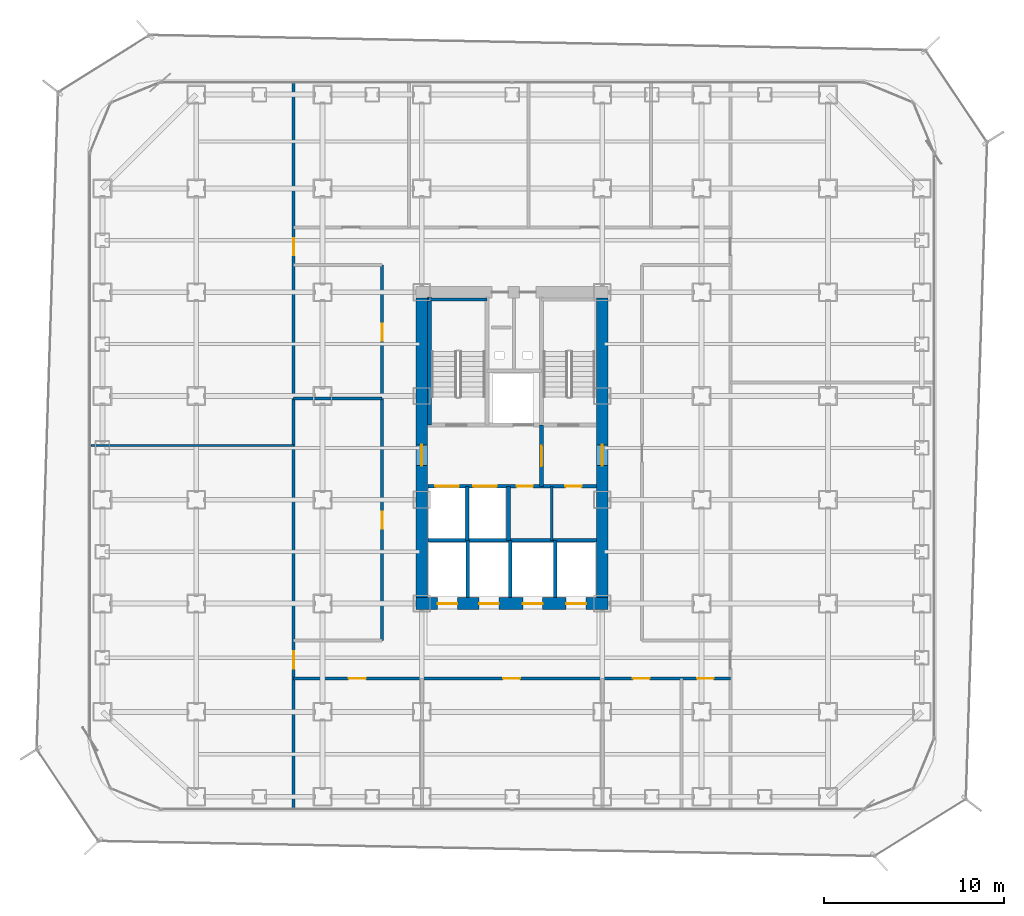
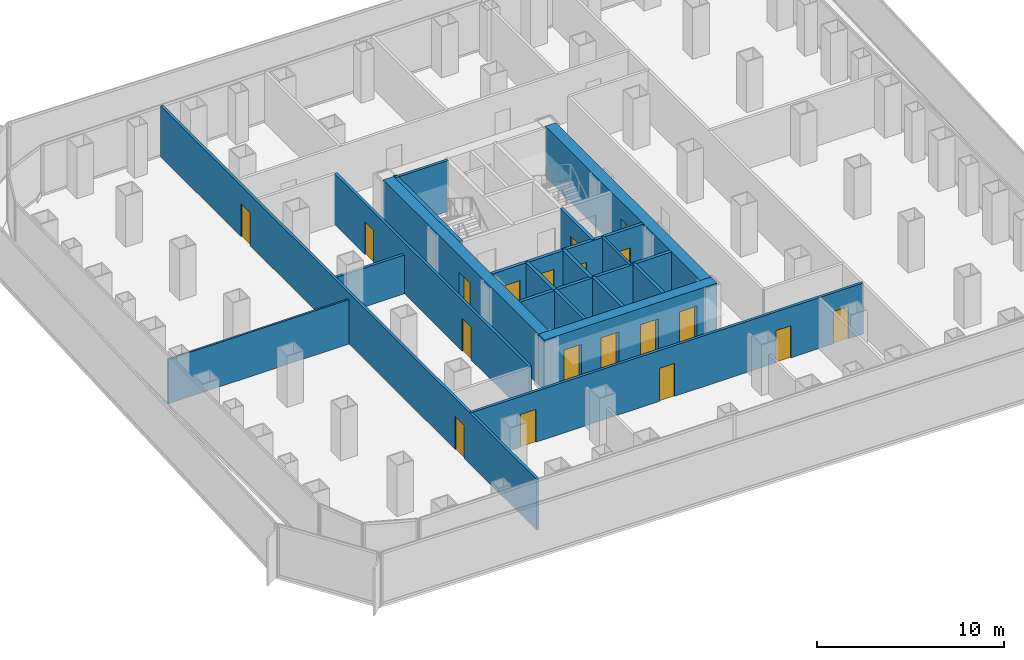
# One storey, part 17 of 21: 19 doors, 19 walls, 19 openings.
"""IFC4 building model written with IfcOpenShell, lengths in metres."""

from ifc_helpers import new_model, si_unit, direction, frame, frame_2d, origin, place, context, subcontext, project, spatial, rectangle, extrude, material, layer, layer_set, type_object, element, fill, save


model = new_model("IFC4")

# Units and contexts
model_context = context("Model", 3, precision=1e-05, world=origin(), true_north=direction((0.0, 1.0)))
body_context = subcontext(model_context, "Body", "Model", "MODEL_VIEW")
ifc_project = project(units=[si_unit("LENGTHUNIT", "METRE"), si_unit("AREAUNIT", "SQUARE_METRE"), si_unit("VOLUMEUNIT", "CUBIC_METRE"), si_unit("PLANEANGLEUNIT", "RADIAN"), si_unit("MASSUNIT", "GRAM", prefix="KILO")], contexts=[model_context])

# Site, building, storey
site_placement = place(None, origin())
site = spatial("IfcSite", under=ifc_project, at=site_placement, CompositionType="ELEMENT")
building_placement = place(site_placement, origin())
building = spatial("IfcBuilding", under=site, at=building_placement, Name="Kolveth Station Tower", CompositionType="ELEMENT")
storey_placement = place(building_placement, frame((0.0, 0.0, 33.300048828125)))
storey = spatial("IfcBuildingStorey", under=building, at=storey_placement, Name="L08", CompositionType="ELEMENT", Elevation=33.300048828125)

# Wall, openings, doors
ifc_material_1 = material(Name="Concrete C60/75", Category="concrete")
ifc_layer_1 = layer(ifc_material_1, 0.64990234375)
ifc_layer_set_1 = layer_set([ifc_layer_1], Name="Concrete C60/75")
wall_type_1 = type_object("IfcWallType", Name="Wall_CW-650", PredefinedType="SHEAR", material=ifc_layer_set_1)
wall_1_placement = place(storey_placement, frame((18.175048828125, 11.5, 0.0), z_axis=(0.0, 0.0, 1.0), x_axis=(1.0, 0.0, 0.0)))
wall_1 = element("IfcWall", 1, at=wall_1_placement, inside=storey, type_object=wall_type_1, Name="L08 Core RC Shear Wall S", PredefinedType="SHEAR", context=body_context, shape_type="SweptSolid", body=[
    extrude(rectangle(XDim=10.64990234375, YDim=0.64990234375, at=frame_2d((5.324951171875, 0.0))), origin(), (0.0, 0.0, 1.0), 3.320068359375),
])
opening_1_placement = place(wall_1_placement, frame((1.195068359375, 0.0, 0.0)))
opening_1 = element("IfcOpeningElement", 2, at=opening_1_placement, cuts=wall_1, Name="Opening LD1", PredefinedType="OPENING", context=body_context, shape_type="SweptSolid", body=[
    extrude(rectangle(XDim=1.10009765625, YDim=2.25, at=frame_2d((0.550048828125, 1.125))), frame((0.0, 0.3349609375, 0.0), z_axis=(0.0, -1.0, 0.0), x_axis=(1.0, 0.0, 0.0)), (0.0, 0.0, 1.0), 0.669921875),
])
opening_2_placement = place(wall_1_placement, frame((3.4951171875, 0.0, 0.0)))
opening_2 = element("IfcOpeningElement", 3, at=opening_2_placement, cuts=wall_1, Name="Opening LD1", PredefinedType="OPENING", context=body_context, shape_type="SweptSolid", body=[
    extrude(rectangle(XDim=1.10009765625, YDim=2.25, at=frame_2d((0.550048828125, 1.125))), frame((0.0, 0.3349609375, 0.0), z_axis=(0.0, -1.0, 0.0), x_axis=(1.0, 0.0, 0.0)), (0.0, 0.0, 1.0), 0.669921875),
])
opening_3_placement = place(wall_1_placement, frame((5.925048828125, 0.0, 0.0)))
opening_3 = element("IfcOpeningElement", 4, at=opening_3_placement, cuts=wall_1, Name="Opening LD1", PredefinedType="OPENING", context=body_context, shape_type="SweptSolid", body=[
    extrude(rectangle(XDim=1.10009765625, YDim=2.25, at=frame_2d((0.550048828125, 1.125))), frame((0.0, 0.3349609375, 0.0), z_axis=(0.0, -1.0, 0.0), x_axis=(1.0, 0.0, 0.0)), (0.0, 0.0, 1.0), 0.669921875),
])
opening_4_placement = place(wall_1_placement, frame((8.324951171875, 0.0, 0.0)))
opening_4 = element("IfcOpeningElement", 5, at=opening_4_placement, cuts=wall_1, Name="Opening LD1", PredefinedType="OPENING", context=body_context, shape_type="SweptSolid", body=[
    extrude(rectangle(XDim=1.10009765625, YDim=2.25, at=frame_2d((0.550048828125, 1.125))), frame((0.0, 0.3349609375, 0.0), z_axis=(0.0, -1.0, 0.0), x_axis=(1.0, 0.0, 0.0)), (0.0, 0.0, 1.0), 0.669921875),
])
ifc_material_2 = material(Name="Brushed stainless steel sliding landing doors", Category="steel")
door_type_1 = type_object("IfcDoorType", Name="Door_LD1", OperationType="NOTDEFINED", PredefinedType="DOOR", material=ifc_material_2)
door_1_placement = place(opening_1_placement, frame((1.10009765625, 0.0, 0.0), z_axis=(0.0, 0.0, 1.0), x_axis=(-1.0, 0.0, 0.0)))
door_1 = element("IfcDoor", 6, at=door_1_placement, inside=storey, type_object=door_type_1, Name="L08 Lift PL1 Landing Door", OperationType="DOUBLE_DOOR_SLIDING", OverallHeight=2.25, OverallWidth=1.10009765625, PredefinedType="DOOR", context=body_context, shape_type="SweptSolid", body=[
    extrude(rectangle(XDim=1.10009765625, YDim=2.25, at=frame_2d((0.550048828125, 1.125))), frame((0.0, 0.02490234375, 0.0), z_axis=(0.0, -1.0, 0.0), x_axis=(1.0, 0.0, 0.0)), (0.0, 0.0, 1.0), 0.050048828125),
])
fill(opening_1, door_1)
door_2_placement = place(opening_2_placement, frame((1.10009765625, 0.0, 0.0), z_axis=(0.0, 0.0, 1.0), x_axis=(-1.0, 0.0, 0.0)))
door_2 = element("IfcDoor", 7, at=door_2_placement, inside=storey, type_object=door_type_1, Name="L08 Lift PL2 Landing Door", OperationType="DOUBLE_DOOR_SLIDING", OverallHeight=2.25, OverallWidth=1.10009765625, PredefinedType="DOOR", context=body_context, shape_type="SweptSolid", body=[
    extrude(rectangle(XDim=1.10009765625, YDim=2.25, at=frame_2d((0.550048828125, 1.125))), frame((0.0, 0.02490234375, 0.0), z_axis=(0.0, -1.0, 0.0), x_axis=(1.0, 0.0, 0.0)), (0.0, 0.0, 1.0), 0.050048828125),
])
fill(opening_2, door_2)
door_3_placement = place(opening_3_placement, frame((1.10009765625, 0.0, 0.0), z_axis=(0.0, 0.0, 1.0), x_axis=(-1.0, 0.0, 0.0)))
door_3 = element("IfcDoor", 8, at=door_3_placement, inside=storey, type_object=door_type_1, Name="L08 Lift PM1 Landing Door", OperationType="DOUBLE_DOOR_SLIDING", OverallHeight=2.25, OverallWidth=1.10009765625, PredefinedType="DOOR", context=body_context, shape_type="SweptSolid", body=[
    extrude(rectangle(XDim=1.10009765625, YDim=2.25, at=frame_2d((0.550048828125, 1.125))), frame((0.0, 0.02490234375, 0.0), z_axis=(0.0, -1.0, 0.0), x_axis=(1.0, 0.0, 0.0)), (0.0, 0.0, 1.0), 0.050048828125),
])
fill(opening_3, door_3)
door_4_placement = place(opening_4_placement, frame((1.10009765625, 0.0, 0.0), z_axis=(0.0, 0.0, 1.0), x_axis=(-1.0, 0.0, 0.0)))
door_4 = element("IfcDoor", 9, at=door_4_placement, inside=storey, type_object=door_type_1, Name="L08 Lift PH1 Landing Door", OperationType="DOUBLE_DOOR_SLIDING", OverallHeight=2.25, OverallWidth=1.10009765625, PredefinedType="DOOR", context=body_context, shape_type="SweptSolid", body=[
    extrude(rectangle(XDim=1.10009765625, YDim=2.25, at=frame_2d((0.550048828125, 1.125))), frame((0.0, 0.02490234375, 0.0), z_axis=(0.0, -1.0, 0.0), x_axis=(1.0, 0.0, 0.0)), (0.0, 0.0, 1.0), 0.050048828125),
])
fill(opening_4, door_4)

# Wall, opening, door
wall_2_placement = place(storey_placement, frame((18.5, 11.824951171875, 0.0), z_axis=(0.0, 0.0, 1.0), x_axis=(0.0, 1.0, 0.0)))
wall_2 = element("IfcWall", 10, at=wall_2_placement, inside=storey, type_object=wall_type_1, Name="L08 Core RC Shear Wall W", PredefinedType="SHEAR", context=body_context, shape_type="SweptSolid", body=[
    extrude(rectangle(XDim=16.60009765625, YDim=0.64990234375, at=frame_2d((8.300048828125, 0.0))), origin(), (0.0, 0.0, 1.0), 3.320068359375),
])
opening_5_placement = place(wall_2_placement, frame((7.324951171875, 0.0, 0.0)))
opening_5 = element("IfcOpeningElement", 11, at=opening_5_placement, cuts=wall_2, Name="Opening FD1", PredefinedType="OPENING", context=body_context, shape_type="SweptSolid", body=[
    extrude(rectangle(XDim=1.14990234375, YDim=2.199951171875, at=frame_2d((0.574951171875, 1.10009765625))), frame((0.0, 0.3349609375, 0.0), z_axis=(0.0, -1.0, 0.0), x_axis=(1.0, 0.0, 0.0)), (0.0, 0.0, 1.0), 0.669921875),
])
ifc_material_3 = material(Name="Fire-rated Steel S355 leaf and frame", Category="steel")
door_type_2 = type_object("IfcDoorType", Name="Door_FD1", OperationType="NOTDEFINED", PredefinedType="DOOR", material=ifc_material_3)
door_5_placement = place(opening_5_placement, frame((1.14990234375, 0.0, 0.0), z_axis=(0.0, 0.0, 1.0), x_axis=(-1.0, 0.0, 0.0)))
door_5 = element("IfcDoor", 12, at=door_5_placement, inside=storey, type_object=door_type_2, Name="L08 West Corridor to Firefighting Lobby Door", OperationType="SINGLE_SWING_RIGHT", OverallHeight=2.199951171875, OverallWidth=1.14990234375, PredefinedType="DOOR", context=body_context, shape_type="SweptSolid", body=[
    extrude(rectangle(XDim=1.14990234375, YDim=2.199951171875, at=frame_2d((0.574951171875, 1.10009765625))), frame((0.0, 0.02490234375, 0.0), z_axis=(0.0, -1.0, 0.0), x_axis=(1.0, 0.0, 0.0)), (0.0, 0.0, 1.0), 0.050048828125),
])
fill(opening_5, door_5)

wall_3_placement = place(storey_placement, frame((28.5, 11.824951171875, 0.0), z_axis=(0.0, 0.0, 1.0), x_axis=(0.0, 1.0, 0.0)))
wall_3 = element("IfcWall", 13, at=wall_3_placement, inside=storey, type_object=wall_type_1, Name="L08 Core RC Shear Wall E", PredefinedType="SHEAR", context=body_context, shape_type="SweptSolid", body=[
    extrude(rectangle(XDim=16.60009765625, YDim=0.64990234375, at=frame_2d((8.300048828125, 0.0))), origin(), (0.0, 0.0, 1.0), 3.320068359375),
])
opening_6_placement = place(wall_3_placement, frame((7.324951171875, 0.0, 0.0)))
opening_6 = element("IfcOpeningElement", 14, at=opening_6_placement, cuts=wall_3, Name="Opening FD1", PredefinedType="OPENING", context=body_context, shape_type="SweptSolid", body=[
    extrude(rectangle(XDim=1.14990234375, YDim=2.199951171875, at=frame_2d((0.574951171875, 1.10009765625))), frame((0.0, 0.3349609375, 0.0), z_axis=(0.0, -1.0, 0.0), x_axis=(1.0, 0.0, 0.0)), (0.0, 0.0, 1.0), 0.669921875),
])
door_6_placement = place(opening_6_placement, origin())
door_6 = element("IfcDoor", 15, at=door_6_placement, inside=storey, type_object=door_type_2, Name="L08 East Corridor to Stair Lobby Door", OperationType="SINGLE_SWING_LEFT", OverallHeight=2.199951171875, OverallWidth=1.14990234375, PredefinedType="DOOR", context=body_context, shape_type="SweptSolid", body=[
    extrude(rectangle(XDim=1.14990234375, YDim=2.199951171875, at=frame_2d((0.574951171875, 1.10009765625))), frame((0.0, 0.02490234375, 0.0), z_axis=(0.0, -1.0, 0.0), x_axis=(1.0, 0.0, 0.0)), (0.0, 0.0, 1.0), 0.050048828125),
])
fill(opening_6, door_6)

# Walls
ifc_material_4 = material(Name="Framed gypsum partition")
ifc_layer_2 = layer(ifc_material_4, 0.114990234375)
ifc_layer_set_2 = layer_set([ifc_layer_2], Name="Framed gypsum partition")
wall_type_2 = type_object("IfcWallType", Name="Wall_IW-115", PredefinedType="PARTITIONING", material=ifc_layer_set_2)
wall_4_placement = place(storey_placement, frame((0.159912109375, 20.25, 0.0), z_axis=(0.0, 0.0, 1.0), x_axis=(1.0, 0.0, 0.0)))
element("IfcWall", 16, at=wall_4_placement, inside=storey, type_object=wall_type_2, Name="L08 Partition Wall WL-L08-OWM", PredefinedType="PARTITIONING", context=body_context, shape_type="SweptSolid", body=[
    extrude(rectangle(XDim=11.239990234375, YDim=0.114990234375, at=frame_2d((5.6201171875, 0.0))), origin(), (0.0, 0.0, 1.0), 2.89794921875),
])
ifc_material_5 = material(Name="Moisture-resistant gypsum partition")
ifc_layer_3 = layer(ifc_material_5, 0.135009765625)
ifc_layer_set_3 = layer_set([ifc_layer_3], Name="Moisture-resistant gypsum partition")
wall_type_3 = type_object("IfcWallType", Name="Wall_IW-135", PredefinedType="PARTITIONING", material=ifc_layer_set_3)
wall_5_placement = place(storey_placement, frame((25.699951171875, 15.0, 0.0), z_axis=(0.0, 0.0, 1.0), x_axis=(0.0, 1.0, 0.0)))
element("IfcWall", 17, at=wall_5_placement, inside=storey, type_object=wall_type_3, Name="L08 Partition Wall WL-L08-CB-V1", PredefinedType="PARTITIONING", context=body_context, shape_type="SweptSolid", body=[
    extrude(rectangle(XDim=3.0, YDim=0.135009765625, at=frame_2d((1.5, 0.0))), origin(), (0.0, 0.0, 1.0), 3.320068359375),
])
ifc_material_6 = material(Name="Acoustic double-stud gypsum partition")
ifc_layer_4 = layer(ifc_material_6, 0.1650390625)
ifc_layer_set_4 = layer_set([ifc_layer_4], Name="Acoustic double-stud gypsum partition")
wall_type_4 = type_object("IfcWallType", Name="Wall_IW-165", PredefinedType="PARTITIONING", material=ifc_layer_set_4)
wall_6_placement = place(storey_placement, frame((18.8349609375, 28.3349609375, 0.0), z_axis=(0.0, 0.0, 1.0), x_axis=(1.0, 0.0, 0.0)))
element("IfcWall", 18, at=wall_6_placement, inside=storey, type_object=wall_type_4, Name="L08 Stair Shaft Wall WL-L08-ST1-N", PredefinedType="PARTITIONING", context=body_context, shape_type="SweptSolid", body=[
    extrude(rectangle(XDim=3.275146484375, YDim=0.1650390625, at=frame_2d((1.6376953125, 0.0))), origin(), (0.0, 0.0, 1.0), 3.320068359375),
])

# Wall, openings, doors
wall_7_placement = place(storey_placement, frame((11.39990234375, 7.35009765625, 0.0), z_axis=(0.0, 0.0, 1.0), x_axis=(1.0, 0.0, 0.0)))
wall_7 = element("IfcWall", 19, at=wall_7_placement, inside=storey, type_object=wall_type_4, Name="L08 Partition Wall WL-L08-OS", PredefinedType="PARTITIONING", context=body_context, shape_type="SweptSolid", body=[
    extrude(rectangle(XDim=24.2001953125, YDim=0.1650390625, at=frame_2d((12.10009765625, 0.0))), origin(), (0.0, 0.0, 1.0), 3.320068359375),
])
opening_7_placement = place(wall_7_placement, frame((3.050048828125, 0.0, 0.0)))
opening_7 = element("IfcOpeningElement", 20, at=opening_7_placement, cuts=wall_7, Name="Opening ID1", PredefinedType="OPENING", context=body_context, shape_type="SweptSolid", body=[
    extrude(rectangle(XDim=0.949951171875, YDim=2.14990234375, at=frame_2d((0.47509765625, 1.074951171875))), frame((0.0, 0.092529296875, 0.0), z_axis=(0.0, -1.0, 0.0), x_axis=(1.0, 0.0, 0.0)), (0.0, 0.0, 1.0), 0.18505859375),
])
opening_8_placement = place(wall_7_placement, frame((11.60009765625, 0.0, 0.0)))
opening_8 = element("IfcOpeningElement", 21, at=opening_8_placement, cuts=wall_7, Name="Opening ID1", PredefinedType="OPENING", context=body_context, shape_type="SweptSolid", body=[
    extrude(rectangle(XDim=0.949951171875, YDim=2.14990234375, at=frame_2d((0.47509765625, 1.074951171875))), frame((0.0, 0.092529296875, 0.0), z_axis=(0.0, -1.0, 0.0), x_axis=(1.0, 0.0, 0.0)), (0.0, 0.0, 1.0), 0.18505859375),
])
opening_9_placement = place(wall_7_placement, frame((18.800048828125, 0.0, 0.0)))
opening_9 = element("IfcOpeningElement", 22, at=opening_9_placement, cuts=wall_7, Name="Opening ID2", PredefinedType="OPENING", context=body_context, shape_type="SweptSolid", body=[
    extrude(rectangle(XDim=0.919921875, YDim=2.10009765625, at=frame_2d((0.4599609375, 1.050048828125))), frame((0.0, 0.092529296875, 0.0), z_axis=(0.0, -1.0, 0.0), x_axis=(1.0, 0.0, 0.0)), (0.0, 0.0, 1.0), 0.18505859375),
])
opening_10_placement = place(wall_7_placement, frame((22.35009765625, 0.0, 0.0)))
opening_10 = element("IfcOpeningElement", 23, at=opening_10_placement, cuts=wall_7, Name="Opening ID2", PredefinedType="OPENING", context=body_context, shape_type="SweptSolid", body=[
    extrude(rectangle(XDim=0.919921875, YDim=2.10009765625, at=frame_2d((0.4599609375, 1.050048828125))), frame((0.0, 0.092529296875, 0.0), z_axis=(0.0, -1.0, 0.0), x_axis=(1.0, 0.0, 0.0)), (0.0, 0.0, 1.0), 0.18505859375),
])
ifc_material_7 = material(Name="Acoustic hardwood leaf and aluminium frame", Category="wood")
door_type_3 = type_object("IfcDoorType", Name="Door_ID1", OperationType="NOTDEFINED", PredefinedType="DOOR", material=ifc_material_7)
door_7_placement = place(opening_7_placement, frame((0.949951171875, 0.0, 0.0), z_axis=(0.0, 0.0, 1.0), x_axis=(-1.0, 0.0, 0.0)))
door_7 = element("IfcDoor", 24, at=door_7_placement, inside=storey, type_object=door_type_3, Name="L08 Open Plan Office S1 Door", OperationType="SINGLE_SWING_RIGHT", OverallHeight=2.14990234375, OverallWidth=0.949951171875, PredefinedType="DOOR", context=body_context, shape_type="SweptSolid", body=[
    extrude(rectangle(XDim=0.949951171875, YDim=2.14990234375, at=frame_2d((0.47509765625, 1.074951171875))), frame((0.0, 0.02490234375, 0.0), z_axis=(0.0, -1.0, 0.0), x_axis=(1.0, 0.0, 0.0)), (0.0, 0.0, 1.0), 0.050048828125),
])
fill(opening_7, door_7)
door_8_placement = place(opening_8_placement, frame((0.949951171875, 0.0, 0.0), z_axis=(0.0, 0.0, 1.0), x_axis=(-1.0, 0.0, 0.0)))
door_8 = element("IfcDoor", 25, at=door_8_placement, inside=storey, type_object=door_type_3, Name="L08 Open Plan Office S2 Door", OperationType="SINGLE_SWING_LEFT", OverallHeight=2.14990234375, OverallWidth=0.949951171875, PredefinedType="DOOR", context=body_context, shape_type="SweptSolid", body=[
    extrude(rectangle(XDim=0.949951171875, YDim=2.14990234375, at=frame_2d((0.47509765625, 1.074951171875))), frame((0.0, 0.02490234375, 0.0), z_axis=(0.0, -1.0, 0.0), x_axis=(1.0, 0.0, 0.0)), (0.0, 0.0, 1.0), 0.050048828125),
])
fill(opening_8, door_8)
ifc_material_8 = material(Name="Moisture-resistant hardwood leaf", Category="wood")
door_type_4 = type_object("IfcDoorType", Name="Door_ID2", OperationType="NOTDEFINED", PredefinedType="DOOR", material=ifc_material_8)
door_9_placement = place(opening_9_placement, frame((0.919921875, 0.0, 0.0), z_axis=(0.0, 0.0, 1.0), x_axis=(-1.0, 0.0, 0.0)))
door_9 = element("IfcDoor", 26, at=door_9_placement, inside=storey, type_object=door_type_4, Name="L08 Male Toilet Door", OperationType="SINGLE_SWING_RIGHT", OverallHeight=2.10009765625, OverallWidth=0.919921875, PredefinedType="DOOR", context=body_context, shape_type="SweptSolid", body=[
    extrude(rectangle(XDim=0.919921875, YDim=2.10009765625, at=frame_2d((0.4599609375, 1.050048828125))), frame((0.0, 0.02490234375, 0.0), z_axis=(0.0, -1.0, 0.0), x_axis=(1.0, 0.0, 0.0)), (0.0, 0.0, 1.0), 0.050048828125),
])
fill(opening_9, door_9)
door_10_placement = place(opening_10_placement, frame((0.919921875, 0.0, 0.0), z_axis=(0.0, 0.0, 1.0), x_axis=(-1.0, 0.0, 0.0)))
door_10 = element("IfcDoor", 27, at=door_10_placement, inside=storey, type_object=door_type_4, Name="L08 Accessible WC Door", OperationType="SINGLE_SWING_LEFT", OverallHeight=2.10009765625, OverallWidth=0.919921875, PredefinedType="DOOR", context=body_context, shape_type="SweptSolid", body=[
    extrude(rectangle(XDim=0.919921875, YDim=2.10009765625, at=frame_2d((0.4599609375, 1.050048828125))), frame((0.0, 0.02490234375, 0.0), z_axis=(0.0, -1.0, 0.0), x_axis=(1.0, 0.0, 0.0)), (0.0, 0.0, 1.0), 0.050048828125),
])
fill(opening_10, door_10)

wall_8_placement = place(storey_placement, frame((16.300048828125, 9.449951171875, 0.0), z_axis=(0.0, 0.0, 1.0), x_axis=(0.0, 1.0, 0.0)))
wall_8 = element("IfcWall", 28, at=wall_8_placement, inside=storey, type_object=wall_type_4, Name="L08 Partition Wall WL-L08-OCW", PredefinedType="PARTITIONING", context=body_context, shape_type="SweptSolid", body=[
    extrude(rectangle(XDim=20.800048828125, YDim=0.1650390625, at=frame_2d((10.39990234375, 0.0))), origin(), (0.0, 0.0, 1.0), 3.320068359375),
])
opening_11_placement = place(wall_8_placement, frame((6.199951171875, 0.0, 0.0)))
opening_11 = element("IfcOpeningElement", 29, at=opening_11_placement, cuts=wall_8, Name="Opening ID1", PredefinedType="OPENING", context=body_context, shape_type="SweptSolid", body=[
    extrude(rectangle(XDim=0.949951171875, YDim=2.14990234375, at=frame_2d((0.47509765625, 1.074951171875))), frame((0.0, 0.092529296875, 0.0), z_axis=(0.0, -1.0, 0.0), x_axis=(1.0, 0.0, 0.0)), (0.0, 0.0, 1.0), 0.18505859375),
])
opening_12_placement = place(wall_8_placement, frame((16.60009765625, 0.0, 0.0)))
opening_12 = element("IfcOpeningElement", 30, at=opening_12_placement, cuts=wall_8, Name="Opening ID1", PredefinedType="OPENING", context=body_context, shape_type="SweptSolid", body=[
    extrude(rectangle(XDim=0.949951171875, YDim=2.14990234375, at=frame_2d((0.47509765625, 1.074951171875))), frame((0.0, 0.092529296875, 0.0), z_axis=(0.0, -1.0, 0.0), x_axis=(1.0, 0.0, 0.0)), (0.0, 0.0, 1.0), 0.18505859375),
])
door_11_placement = place(opening_11_placement, frame((0.949951171875, 0.0, 0.0), z_axis=(0.0, 0.0, 1.0), x_axis=(-1.0, 0.0, 0.0)))
door_11 = element("IfcDoor", 31, at=door_11_placement, inside=storey, type_object=door_type_3, Name="L08 Internal Meeting Room W1 Door", OperationType="SINGLE_SWING_RIGHT", OverallHeight=2.14990234375, OverallWidth=0.949951171875, PredefinedType="DOOR", context=body_context, shape_type="SweptSolid", body=[
    extrude(rectangle(XDim=0.949951171875, YDim=2.14990234375, at=frame_2d((0.47509765625, 1.074951171875))), frame((0.0, 0.02490234375, 0.0), z_axis=(0.0, -1.0, 0.0), x_axis=(1.0, 0.0, 0.0)), (0.0, 0.0, 1.0), 0.050048828125),
])
fill(opening_11, door_11)
door_12_placement = place(opening_12_placement, frame((0.949951171875, 0.0, 0.0), z_axis=(0.0, 0.0, 1.0), x_axis=(-1.0, 0.0, 0.0)))
door_12 = element("IfcDoor", 32, at=door_12_placement, inside=storey, type_object=door_type_3, Name="L08 Print and Archive Room Door", OperationType="SINGLE_SWING_LEFT", OverallHeight=2.14990234375, OverallWidth=0.949951171875, PredefinedType="DOOR", context=body_context, shape_type="SweptSolid", body=[
    extrude(rectangle(XDim=0.949951171875, YDim=2.14990234375, at=frame_2d((0.47509765625, 1.074951171875))), frame((0.0, 0.02490234375, 0.0), z_axis=(0.0, -1.0, 0.0), x_axis=(1.0, 0.0, 0.0)), (0.0, 0.0, 1.0), 0.050048828125),
])
fill(opening_12, door_12)

wall_9_placement = place(storey_placement, frame((11.39990234375, 0.159912109375, 0.0), z_axis=(0.0, 0.0, 1.0), x_axis=(0.0, 1.0, 0.0)))
wall_9 = element("IfcWall", 33, at=wall_9_placement, inside=storey, type_object=wall_type_4, Name="L08 Partition Wall WL-L08-OWEND", PredefinedType="PARTITIONING", context=body_context, shape_type="SweptSolid", body=[
    extrude(rectangle(XDim=40.18017578125, YDim=0.1650390625, at=frame_2d((20.090087890625, 0.0))), origin(), (0.0, 0.0, 1.0), 3.320068359375),
])
opening_13_placement = place(wall_9_placement, frame((7.739990234375, 0.0, 0.0)))
opening_13 = element("IfcOpeningElement", 34, at=opening_13_placement, cuts=wall_9, Name="Opening ID1", PredefinedType="OPENING", context=body_context, shape_type="SweptSolid", body=[
    extrude(rectangle(XDim=0.949951171875, YDim=2.14990234375, at=frame_2d((0.47509765625, 1.074951171875))), frame((0.0, 0.092529296875, 0.0), z_axis=(0.0, -1.0, 0.0), x_axis=(1.0, 0.0, 0.0)), (0.0, 0.0, 1.0), 0.18505859375),
])
opening_14_placement = place(wall_9_placement, frame((30.639892578125, 0.0, 0.0)))
opening_14 = element("IfcOpeningElement", 35, at=opening_14_placement, cuts=wall_9, Name="Opening ID1", PredefinedType="OPENING", context=body_context, shape_type="SweptSolid", body=[
    extrude(rectangle(XDim=0.949951171875, YDim=2.14990234375, at=frame_2d((0.47509765625, 1.074951171875))), frame((0.0, 0.092529296875, 0.0), z_axis=(0.0, -1.0, 0.0), x_axis=(1.0, 0.0, 0.0)), (0.0, 0.0, 1.0), 0.18505859375),
])
door_13_placement = place(opening_13_placement, frame((0.949951171875, 0.0, 0.0), z_axis=(0.0, 0.0, 1.0), x_axis=(-1.0, 0.0, 0.0)))
door_13 = element("IfcDoor", 36, at=door_13_placement, inside=storey, type_object=door_type_3, Name="L08 West-South Wing Door", OperationType="SINGLE_SWING_RIGHT", OverallHeight=2.14990234375, OverallWidth=0.949951171875, PredefinedType="DOOR", context=body_context, shape_type="SweptSolid", body=[
    extrude(rectangle(XDim=0.949951171875, YDim=2.14990234375, at=frame_2d((0.47509765625, 1.074951171875))), frame((0.0, 0.02490234375, 0.0), z_axis=(0.0, -1.0, 0.0), x_axis=(1.0, 0.0, 0.0)), (0.0, 0.0, 1.0), 0.050048828125),
])
fill(opening_13, door_13)
door_14_placement = place(opening_14_placement, frame((0.949951171875, 0.0, 0.0), z_axis=(0.0, 0.0, 1.0), x_axis=(-1.0, 0.0, 0.0)))
door_14 = element("IfcDoor", 37, at=door_14_placement, inside=storey, type_object=door_type_3, Name="L08 West-North Wing Door", OperationType="SINGLE_SWING_LEFT", OverallHeight=2.14990234375, OverallWidth=0.949951171875, PredefinedType="DOOR", context=body_context, shape_type="SweptSolid", body=[
    extrude(rectangle(XDim=0.949951171875, YDim=2.14990234375, at=frame_2d((0.47509765625, 1.074951171875))), frame((0.0, 0.02490234375, 0.0), z_axis=(0.0, -1.0, 0.0), x_axis=(1.0, 0.0, 0.0)), (0.0, 0.0, 1.0), 0.050048828125),
])
fill(opening_14, door_14)

# Wall
wall_10_placement = place(storey_placement, frame((11.39990234375, 22.85009765625, 0.0), z_axis=(0.0, 0.0, 1.0), x_axis=(1.0, 0.0, 0.0)))
element("IfcWall", 38, at=wall_10_placement, inside=storey, type_object=wall_type_4, Name="L08 Partition Wall WL-L08-OIW-P1", PredefinedType="PARTITIONING", context=body_context, shape_type="SweptSolid", body=[
    extrude(rectangle(XDim=4.900146484375, YDim=0.1650390625, at=frame_2d((2.4501953125, 0.0))), origin(), (0.0, 0.0, 1.0), 2.5390625),
])

# Wall, opening, door
ifc_material_9 = material(Name="Acoustic fire-rated gypsum blockwork", Category="masonry")
ifc_layer_5 = layer(ifc_material_9, 0.199951171875)
ifc_layer_set_5 = layer_set([ifc_layer_5], Name="Acoustic fire-rated gypsum blockwork")
wall_type_5 = type_object("IfcWallType", Name="Wall_IW-200", PredefinedType="PARTITIONING", material=ifc_layer_set_5)
wall_11_placement = place(storey_placement, frame((25.1298828125, 18.0, 0.0), z_axis=(0.0, 0.0, 1.0), x_axis=(0.0, 1.0, 0.0)))
wall_11 = element("IfcWall", 39, at=wall_11_placement, inside=storey, type_object=wall_type_5, Name="L08 Partition Wall WL-L08-FFL-E", PredefinedType="PARTITIONING", context=body_context, shape_type="SweptSolid", body=[
    extrude(rectangle(XDim=3.389892578125, YDim=0.199951171875, at=frame_2d((1.69482421875, 0.0))), origin(), (0.0, 0.0, 1.0), 3.320068359375),
])
opening_15_placement = place(wall_11_placement, frame((1.10009765625, 0.0, 0.0)))
opening_15 = element("IfcOpeningElement", 40, at=opening_15_placement, cuts=wall_11, Name="Opening FD1", PredefinedType="OPENING", context=body_context, shape_type="SweptSolid", body=[
    extrude(rectangle(XDim=1.14990234375, YDim=2.199951171875, at=frame_2d((0.574951171875, 1.10009765625))), frame((0.0, 0.10986328125, 0.0), z_axis=(0.0, -1.0, 0.0), x_axis=(1.0, 0.0, 0.0)), (0.0, 0.0, 1.0), 0.219970703125),
])
door_15_placement = place(opening_15_placement, origin())
door_15 = element("IfcDoor", 41, at=door_15_placement, inside=storey, type_object=door_type_2, Name="L08 Firefighting to Stair Lobby Door", OperationType="SINGLE_SWING_LEFT", OverallHeight=2.199951171875, OverallWidth=1.14990234375, PredefinedType="DOOR", context=body_context, shape_type="SweptSolid", body=[
    extrude(rectangle(XDim=1.14990234375, YDim=2.199951171875, at=frame_2d((0.574951171875, 1.10009765625))), frame((0.0, 0.02490234375, 0.0), z_axis=(0.0, -1.0, 0.0), x_axis=(1.0, 0.0, 0.0)), (0.0, 0.0, 1.0), 0.050048828125),
])
fill(opening_15, door_15)

# Wall, openings, doors
wall_12_placement = place(storey_placement, frame((18.8349609375, 18.0, 0.0), z_axis=(0.0, 0.0, 1.0), x_axis=(1.0, 0.0, 0.0)))
wall_12 = element("IfcWall", 42, at=wall_12_placement, inside=storey, type_object=wall_type_5, Name="L08 Partition Wall WL-L08-FFL-S", PredefinedType="PARTITIONING", context=body_context, shape_type="SweptSolid", body=[
    extrude(rectangle(XDim=9.330078125, YDim=0.199951171875, at=frame_2d((4.6650390625, 0.0))), origin(), (0.0, 0.0, 1.0), 3.320068359375),
])
opening_16_placement = place(wall_12_placement, frame((0.4150390625, 0.0, 0.0)))
opening_16 = element("IfcOpeningElement", 43, at=opening_16_placement, cuts=wall_12, Name="Opening LD2", PredefinedType="OPENING", context=body_context, shape_type="SweptSolid", body=[
    extrude(rectangle(XDim=1.300048828125, YDim=2.300048828125, at=frame_2d((0.64990234375, 1.14990234375))), frame((0.0, 0.10986328125, 0.0), z_axis=(0.0, -1.0, 0.0), x_axis=(1.0, 0.0, 0.0)), (0.0, 0.0, 1.0), 0.219970703125),
])
opening_17_placement = place(wall_12_placement, frame((2.514892578125, 0.0, 0.0)))
opening_17 = element("IfcOpeningElement", 44, at=opening_17_placement, cuts=wall_12, Name="Opening LD2", PredefinedType="OPENING", context=body_context, shape_type="SweptSolid", body=[
    extrude(rectangle(XDim=1.300048828125, YDim=2.300048828125, at=frame_2d((0.64990234375, 1.14990234375))), frame((0.0, 0.10986328125, 0.0), z_axis=(0.0, -1.0, 0.0), x_axis=(1.0, 0.0, 0.0)), (0.0, 0.0, 1.0), 0.219970703125),
])
opening_18_placement = place(wall_12_placement, frame((4.9150390625, 0.0, 0.0)))
opening_18 = element("IfcOpeningElement", 45, at=opening_18_placement, cuts=wall_12, Name="Opening RD1", PredefinedType="OPENING", context=body_context, shape_type="SweptSolid", body=[
    extrude(rectangle(XDim=0.89990234375, YDim=2.050048828125, at=frame_2d((0.449951171875, 1.02490234375))), frame((0.0, 0.10986328125, 0.0), z_axis=(0.0, -1.0, 0.0), x_axis=(1.0, 0.0, 0.0)), (0.0, 0.0, 1.0), 0.219970703125),
])
opening_19_placement = place(wall_12_placement, frame((7.614990234375, 0.0, 0.0)))
opening_19 = element("IfcOpeningElement", 46, at=opening_19_placement, cuts=wall_12, Name="Opening RD1", PredefinedType="OPENING", context=body_context, shape_type="SweptSolid", body=[
    extrude(rectangle(XDim=0.89990234375, YDim=2.050048828125, at=frame_2d((0.449951171875, 1.02490234375))), frame((0.0, 0.10986328125, 0.0), z_axis=(0.0, -1.0, 0.0), x_axis=(1.0, 0.0, 0.0)), (0.0, 0.0, 1.0), 0.219970703125),
])
ifc_material_10 = material(Name="Firefighting stainless steel sliding landing doors", Category="steel")
door_type_5 = type_object("IfcDoorType", Name="Door_LD2", OperationType="NOTDEFINED", PredefinedType="DOOR", material=ifc_material_10)
door_16_placement = place(opening_16_placement, origin())
door_16 = element("IfcDoor", 47, at=door_16_placement, inside=storey, type_object=door_type_5, Name="L08 Firefighting Lift FF1 Landing Door", OperationType="DOUBLE_DOOR_SLIDING", OverallHeight=2.300048828125, OverallWidth=1.300048828125, PredefinedType="DOOR", context=body_context, shape_type="SweptSolid", body=[
    extrude(rectangle(XDim=1.300048828125, YDim=2.300048828125, at=frame_2d((0.64990234375, 1.14990234375))), frame((0.0, 0.02490234375, 0.0), z_axis=(0.0, -1.0, 0.0), x_axis=(1.0, 0.0, 0.0)), (0.0, 0.0, 1.0), 0.050048828125),
])
fill(opening_16, door_16)
door_17_placement = place(opening_17_placement, origin())
door_17 = element("IfcDoor", 48, at=door_17_placement, inside=storey, type_object=door_type_5, Name="L08 Firefighting Lift FF2 Landing Door", OperationType="DOUBLE_DOOR_SLIDING", OverallHeight=2.300048828125, OverallWidth=1.300048828125, PredefinedType="DOOR", context=body_context, shape_type="SweptSolid", body=[
    extrude(rectangle(XDim=1.300048828125, YDim=2.300048828125, at=frame_2d((0.64990234375, 1.14990234375))), frame((0.0, 0.02490234375, 0.0), z_axis=(0.0, -1.0, 0.0), x_axis=(1.0, 0.0, 0.0)), (0.0, 0.0, 1.0), 0.050048828125),
])
fill(opening_17, door_17)
ifc_material_11 = material(Name="Fire-rated Steel S355 riser access leaf", Category="steel")
door_type_6 = type_object("IfcDoorType", Name="Door_RD1", OperationType="NOTDEFINED", PredefinedType="DOOR", material=ifc_material_11)
door_18_placement = place(opening_18_placement, frame((0.89990234375, 0.0, 0.0), z_axis=(0.0, 0.0, 1.0), x_axis=(-1.0, 0.0, 0.0)))
door_18 = element("IfcDoor", 49, at=door_18_placement, inside=storey, type_object=door_type_6, Name="L08 Core Accessible WC Door", OperationType="SINGLE_SWING_LEFT", OverallHeight=2.050048828125, OverallWidth=0.89990234375, PredefinedType="DOOR", context=body_context, shape_type="SweptSolid", body=[
    extrude(rectangle(XDim=0.89990234375, YDim=2.050048828125, at=frame_2d((0.449951171875, 1.02490234375))), frame((0.0, 0.02490234375, 0.0), z_axis=(0.0, -1.0, 0.0), x_axis=(1.0, 0.0, 0.0)), (0.0, 0.0, 1.0), 0.050048828125),
])
fill(opening_18, door_18)
door_19_placement = place(opening_19_placement, frame((0.89990234375, 0.0, 0.0), z_axis=(0.0, 0.0, 1.0), x_axis=(-1.0, 0.0, 0.0)))
door_19 = element("IfcDoor", 50, at=door_19_placement, inside=storey, type_object=door_type_6, Name="L08 Core Cleaner Store Door", OperationType="SINGLE_SWING_LEFT", OverallHeight=2.050048828125, OverallWidth=0.89990234375, PredefinedType="DOOR", context=body_context, shape_type="SweptSolid", body=[
    extrude(rectangle(XDim=0.89990234375, YDim=2.050048828125, at=frame_2d((0.449951171875, 1.02490234375))), frame((0.0, 0.02490234375, 0.0), z_axis=(0.0, -1.0, 0.0), x_axis=(1.0, 0.0, 0.0)), (0.0, 0.0, 1.0), 0.050048828125),
])
fill(opening_19, door_19)

# Walls
for number, where, z_axis, x_axis, name in (
    (51, (21.02001953125, 15.0, 0.0), (0.0, 0.0, 1.0), (0.0, 1.0, 0.0), "L08 Partition Wall WL-L08-FF12"),
    (52, (23.300048828125, 15.0, 0.0), (0.0, 0.0, 1.0), (0.0, 1.0, 0.0), "L08 Partition Wall WL-L08-FF2E"),
):
    element("IfcWall", number, at=place(storey_placement, frame(where, z_axis=z_axis, x_axis=x_axis)), inside=storey, type_object=wall_type_5, Name=name, PredefinedType="PARTITIONING", context=body_context, shape_type="SweptSolid", body=[
        extrude(rectangle(XDim=3.0, YDim=0.199951171875, at=frame_2d((1.5, 0.0))), origin(), (0.0, 0.0, 1.0), 3.320068359375),
    ])
wall_13_placement = place(storey_placement, frame((18.8349609375, 15.0, 0.0), z_axis=(0.0, 0.0, 1.0), x_axis=(1.0, 0.0, 0.0)))
element("IfcWall", 53, at=wall_13_placement, inside=storey, type_object=wall_type_5, Name="L08 Partition Wall WL-L08-BOH-S", PredefinedType="PARTITIONING", context=body_context, shape_type="SweptSolid", body=[
    extrude(rectangle(XDim=9.330078125, YDim=0.199951171875, at=frame_2d((4.6650390625, 0.0))), origin(), (0.0, 0.0, 1.0), 3.320068359375),
])
for number, where, z_axis, x_axis, name in (
    (54, (21.050048828125, 11.8349609375, 0.0), (0.0, 0.0, 1.0), (0.0, 1.0, 0.0), "L08 Partition Wall WL-L08-PL12"),
    (55, (23.39990234375, 11.8349609375, 0.0), (0.0, 0.0, 1.0), (0.0, 1.0, 0.0), "L08 Partition Wall WL-L08-PL2E"),
    (56, (25.89990234375, 11.8349609375, 0.0), (0.0, 0.0, 1.0), (0.0, 1.0, 0.0), "L08 Partition Wall WL-L08-PMPH"),
):
    element("IfcWall", number, at=place(storey_placement, frame(where, z_axis=z_axis, x_axis=x_axis)), inside=storey, type_object=wall_type_5, Name=name, PredefinedType="PARTITIONING", context=body_context, shape_type="SweptSolid", body=[
        extrude(rectangle(XDim=3.1650390625, YDim=0.199951171875, at=frame_2d((1.58251953125, 0.0))), origin(), (0.0, 0.0, 1.0), 3.320068359375),
    ])
ifc_material_12 = material(Name="Concrete C40/50", Category="concrete")
ifc_layer_6 = layer(ifc_material_12, 0.219970703125)
ifc_layer_set_6 = layer_set([ifc_layer_6], Name="Concrete C40/50")
wall_type_6 = type_object("IfcWallType", Name="Wall_IW-220", PredefinedType="SOLIDWALL", material=ifc_layer_set_6)
wall_14_placement = place(storey_placement, frame((18.929931640625, 21.389892578125, 0.0), z_axis=(0.0, 0.0, 1.0), x_axis=(0.0, 1.0, 0.0)))
element("IfcWall", 57, at=wall_14_placement, inside=storey, type_object=wall_type_6, Name="L08 Stair Shaft Wall WL-L08-ST1-W", PredefinedType="SOLIDWALL", context=body_context, shape_type="SweptSolid", body=[
    extrude(rectangle(XDim=7.110107421875, YDim=0.219970703125, at=frame_2d((3.55517578125, 0.0))), origin(), (0.0, 0.0, 1.0), 3.320068359375),
])

save(model, "model.ifc")
